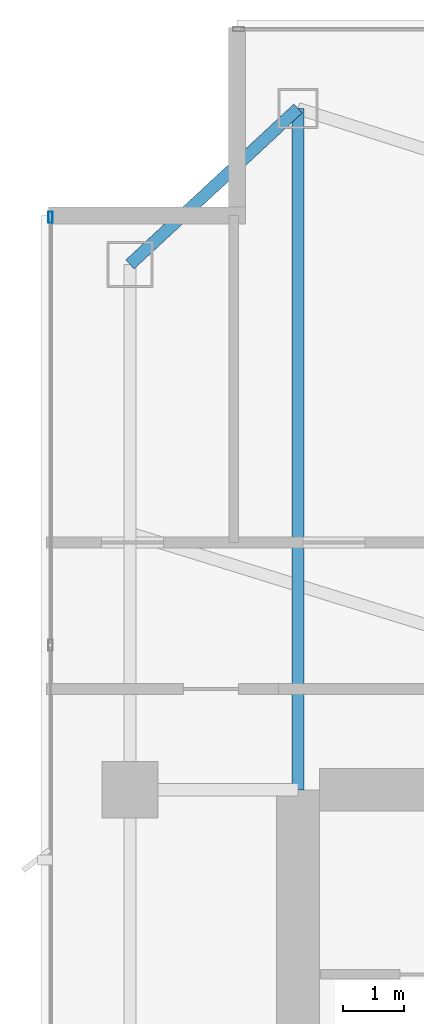
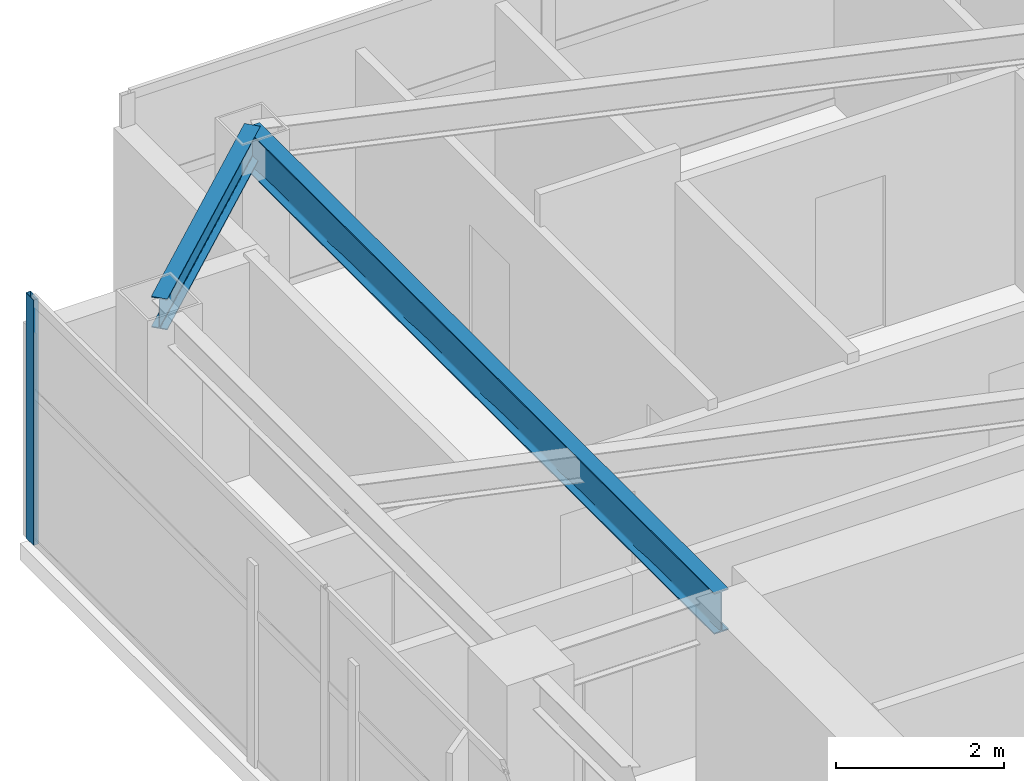
# One storey, part 18 of 30: 2 beams, 1 member, 1 element without a shape of its own.
"""IFC4 building model written with IfcOpenShell, lengths in metres."""

from ifc_helpers import new_model, si_unit, direction, frame, origin, origin_2d, place, context, subcontext, project, spatial, hollow_rectangle, i_section, extrude, material, layer, layer_set, material_profile, profile_set, type_object, element, aggregate, save


model = new_model("IFC4")

# Units and contexts
model_context = context("Model", 3, precision=1e-05, world=origin(), true_north=direction((0.0, 1.0)))
body_context = subcontext(model_context, "Body", "Model", "MODEL_VIEW")
ifc_project = project(units=[si_unit("LENGTHUNIT", "METRE"), si_unit("AREAUNIT", "SQUARE_METRE"), si_unit("VOLUMEUNIT", "CUBIC_METRE"), si_unit("PLANEANGLEUNIT", "RADIAN"), si_unit("MASSUNIT", "GRAM", prefix="KILO")], contexts=[model_context])

# Site, building, storey
site_placement = place(None, origin())
site = spatial("IfcSite", under=ifc_project, at=site_placement, CompositionType="ELEMENT")
building_placement = place(site_placement, origin())
building = spatial("IfcBuilding", under=site, at=building_placement, Name="Calvorn Quay Hotel", CompositionType="ELEMENT")
storey_placement = place(building_placement, frame((0.0, 0.0, 203.39990234375)))
storey = spatial("IfcBuildingStorey", under=building, at=storey_placement, Name="L50", CompositionType="ELEMENT", Elevation=203.39990234375)

# Beams
ifc_material_1 = material(Name="Steel Q355B", Category="steel")
ifc_material_profile_1 = material_profile(ifc_material_1, i_section(OverallWidth=0.199951171875, OverallDepth=0.60009765625, WebThickness=0.010986328125, FlangeThickness=0.01708984375, FilletRadius=0.01806640625, at=origin_2d()), Name="HN600x200x11x17")
ifc_profile_set_1 = profile_set([ifc_material_profile_1], Name="Steel Q355B")
beam_type_1 = type_object("IfcBeamType", Name="BM-GIRD-TYP", PredefinedType="BEAM", material=ifc_profile_set_1)
beam_1_placement = place(storey_placement, frame((4.199951171875, 49.550048828125, 3.239990234375), z_axis=(0.0, -1.0, 0.0), x_axis=(1.0, 0.0, 0.0)))
element("IfcBeam", 1, at=beam_1_placement, inside=storey, type_object=beam_type_1, Name="Beam BG-L50-W5", PredefinedType="BEAM", context=body_context, shape_type="SweptSolid", body=[
    extrude(i_section(OverallWidth=0.199951171875, OverallDepth=0.60009765625, WebThickness=0.010986328125, FlangeThickness=0.01708984375, FilletRadius=0.01806640625, at=origin_2d()), origin(), (0.0, 0.0, 1.0), 11.150146484375),
])
ifc_material_2 = material(Name="Steel Q355B", Category="steel")
ifc_material_profile_2 = material_profile(ifc_material_2, i_section(OverallWidth=0.199951171875, OverallDepth=0.449951171875, WebThickness=0.009033203125, FlangeThickness=0.013916015625, FilletRadius=0.01611328125, at=origin_2d()), Name="HN450x200x9x14")
ifc_profile_set_2 = profile_set([ifc_material_profile_2], Name="Steel Q355B")
beam_type_2 = type_object("IfcBeamType", Name="BM-SPANDREL-Z3", PredefinedType="SPANDREL", material=ifc_profile_set_2)
beam_2_placement = place(storey_placement, frame((1.449951171875, 47.0, 3.315185546875), z_axis=(0.733261665538, 0.679946563969, 0.0), x_axis=(-0.679946563969, 0.733261665538, 0.0)))
element("IfcBeam", 2, at=beam_2_placement, inside=storey, type_object=beam_type_2, Name="Beam BSP-L50-W5", PredefinedType="SPANDREL", context=body_context, shape_type="SweptSolid", body=[
    extrude(i_section(OverallWidth=0.199951171875, OverallDepth=0.449951171875, WebThickness=0.009033203125, FlangeThickness=0.013916015625, FilletRadius=0.01611328125, at=origin_2d()), origin(), (0.0, 0.0, 1.0), 3.75048828125),
])

# Curtain wall, member
ifc_material_3 = material(Name="Champagne Bronze Anodised Aluminium and Low-E Glass", Category="aluminium")
ifc_layer = layer(ifc_material_3, 0.219970703125)
ifc_layer_set = layer_set([ifc_layer], Name="CW-SYS-Z3")
curtain_wall_type = type_object("IfcCurtainWallType", Name="CW-SYS-Z3", PredefinedType="NOTDEFINED", material=ifc_layer_set)
curtain_wall_placement = place(storey_placement, origin())
curtain_wall = element("IfcCurtainWall", 3, at=curtain_wall_placement, inside=storey, type_object=curtain_wall_type, Name="Tower West Curtain Wall (L50)", PredefinedType="NOTDEFINED")
ifc_material_4 = material(Name="Champagne Bronze Anodised Aluminium 6063-T6", Category="aluminium")
ifc_material_profile_3 = material_profile(ifc_material_4, hollow_rectangle(XDim=0.068115234375, YDim=0.18505859375, WallThickness=0.00390625, at=origin_2d()), Name="ALU-M185x68x4")
ifc_profile_set_3 = profile_set([ifc_material_profile_3], Name="Champagne Bronze Anodised Aluminium 6063-T6")
member_type = type_object("IfcMemberType", Name="CW-SYS-Z3-MUL", PredefinedType="MULLION", material=ifc_profile_set_3)
member_placement = place(storey_placement, frame((0.14990234375, 47.77001953125, 0.0), z_axis=(0.0, 0.0, 1.0), x_axis=(-1.0, 0.0, 0.0)))
member = element("IfcMember", 4, at=member_placement, type_object=member_type, Name="CW-L50-W mullion 7", PredefinedType="MULLION", context=body_context, shape_type="SweptSolid", body=[
    extrude(hollow_rectangle(XDim=0.068115234375, YDim=0.18505859375, WallThickness=0.00390625, at=origin_2d()), origin(), (0.0, 0.0, 1.0), 3.56005859375),
])
aggregate(curtain_wall, [member])

save(model, "model.ifc")
